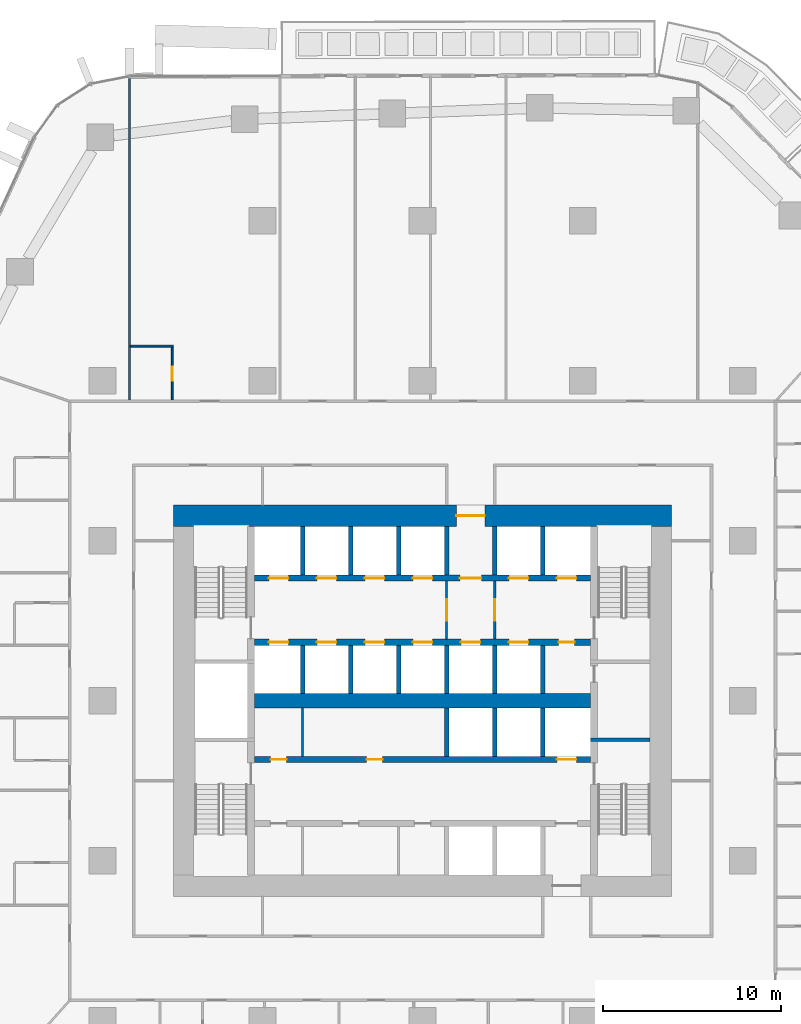
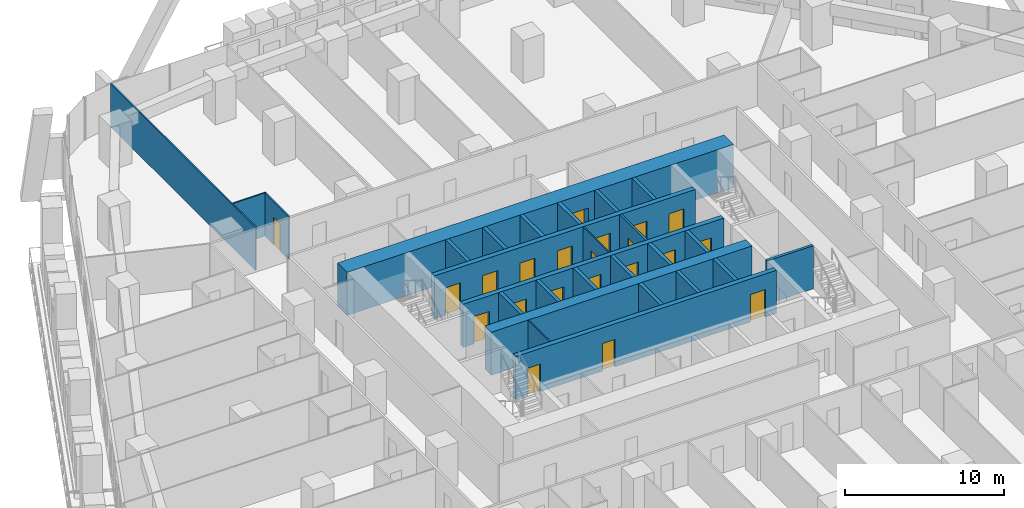
# One storey, part 16 of 27: 27 walls, 21 doors, 21 openings.
"""IFC4 building model written with IfcOpenShell, lengths in metres."""

from ifc_helpers import new_model, si_unit, direction, frame, frame_2d, origin, place, context, subcontext, project, spatial, rectangle, extrude, material, layer, layer_set, type_object, element, fill, save


model = new_model("IFC4")

# Units and contexts
model_context = context("Model", 3, precision=1e-05, world=origin(), true_north=direction((0.0, 1.0)))
body_context = subcontext(model_context, "Body", "Model", "MODEL_VIEW")
ifc_project = project(units=[si_unit("LENGTHUNIT", "METRE"), si_unit("AREAUNIT", "SQUARE_METRE"), si_unit("VOLUMEUNIT", "CUBIC_METRE"), si_unit("PLANEANGLEUNIT", "RADIAN"), si_unit("MASSUNIT", "GRAM", prefix="KILO")], contexts=[model_context])

# Site, building, storey
site_placement = place(None, origin())
site = spatial("IfcSite", under=ifc_project, at=site_placement, CompositionType="ELEMENT")
building_placement = place(site_placement, origin())
building = spatial("IfcBuilding", under=site, at=building_placement, Name="Dongbaek Canopy Tower", CompositionType="ELEMENT")
storey_placement = place(building_placement, frame((0.0, 0.0, 62.5)))
storey = spatial("IfcBuildingStorey", under=building, at=storey_placement, Name="L11", CompositionType="ELEMENT", Elevation=62.5)

# Wall
ifc_material_1 = material(Name="Concrete C60/75", Category="concrete")
ifc_layer_1 = layer(ifc_material_1, 0.800048828125)
ifc_layer_set_1 = layer_set([ifc_layer_1], Name="Core central wall 800 Concrete C60/75")
wall_type_1 = type_object("IfcWallType", Name="Core central wall 800 Concrete C60/75", PredefinedType="SHEAR", material=ifc_layer_set_1)
wall_1_placement = place(storey_placement, frame((-9.449951171875, 0.0, 0.0), z_axis=(0.0, 0.0, 1.0), x_axis=(1.0, 0.0, 0.0)))
element("IfcWall", 1, at=wall_1_placement, inside=storey, type_object=wall_type_1, Name="Core wall", PredefinedType="SHEAR", context=body_context, shape_type="SweptSolid", body=[
    extrude(rectangle(XDim=18.89990234375, YDim=0.800048828125, at=frame_2d((9.449951171875, 0.0))), origin(), (0.0, 0.0, 1.0), 3.300048828125),
])

# Wall, openings, doors
ifc_material_2 = material(Name="Concrete C60/75", Category="concrete")
ifc_layer_2 = layer(ifc_material_2, 0.35009765625)
ifc_layer_set_2 = layer_set([ifc_layer_2], Name="Core lobby wall 350 Concrete C60/75")
wall_type_2 = type_object("IfcWallType", Name="Core lobby wall 350 Concrete C60/75", PredefinedType="SHEAR", material=ifc_layer_set_2)
wall_2_placement = place(storey_placement, frame((-9.449951171875, 6.89990234375, 0.0), z_axis=(0.0, 0.0, 1.0), x_axis=(1.0, 0.0, 0.0)))
wall_2 = element("IfcWall", 2, at=wall_2_placement, inside=storey, type_object=wall_type_2, Name="Core wall", PredefinedType="SHEAR", context=body_context, shape_type="SweptSolid", body=[
    extrude(rectangle(XDim=18.89990234375, YDim=0.35009765625, at=frame_2d((9.449951171875, 0.0))), origin(), (0.0, 0.0, 1.0), 3.300048828125),
])
opening_1_placement = place(wall_2_placement, frame((0.800048828125, 0.0, 0.0)))
opening_1 = element("IfcOpeningElement", 3, at=opening_1_placement, cuts=wall_2, Name="Opening L11-D045", PredefinedType="OPENING", context=body_context, shape_type="SweptSolid", body=[
    extrude(rectangle(XDim=1.10009765625, YDim=2.10009765625, at=frame_2d((0.550048828125, 1.050048828125))), frame((0.0, 0.18505859375, 0.0), z_axis=(0.0, -1.0, 0.0), x_axis=(1.0, 0.0, 0.0)), (0.0, 0.0, 1.0), 0.3701171875),
])
opening_2_placement = place(wall_2_placement, frame((3.5, 0.0, 0.0)))
opening_2 = element("IfcOpeningElement", 4, at=opening_2_placement, cuts=wall_2, Name="Opening L11-D046", PredefinedType="OPENING", context=body_context, shape_type="SweptSolid", body=[
    extrude(rectangle(XDim=1.10009765625, YDim=2.10009765625, at=frame_2d((0.550048828125, 1.050048828125))), frame((0.0, 0.18505859375, 0.0), z_axis=(0.0, -1.0, 0.0), x_axis=(1.0, 0.0, 0.0)), (0.0, 0.0, 1.0), 0.3701171875),
])
opening_3_placement = place(wall_2_placement, frame((6.199951171875, 0.0, 0.0)))
opening_3 = element("IfcOpeningElement", 5, at=opening_3_placement, cuts=wall_2, Name="Opening L11-D047", PredefinedType="OPENING", context=body_context, shape_type="SweptSolid", body=[
    extrude(rectangle(XDim=1.10009765625, YDim=2.10009765625, at=frame_2d((0.550048828125, 1.050048828125))), frame((0.0, 0.18505859375, 0.0), z_axis=(0.0, -1.0, 0.0), x_axis=(1.0, 0.0, 0.0)), (0.0, 0.0, 1.0), 0.3701171875),
])
opening_4_placement = place(wall_2_placement, frame((8.89990234375, 0.0, 0.0)))
opening_4 = element("IfcOpeningElement", 6, at=opening_4_placement, cuts=wall_2, Name="Opening L11-D048", PredefinedType="OPENING", context=body_context, shape_type="SweptSolid", body=[
    extrude(rectangle(XDim=1.10009765625, YDim=2.10009765625, at=frame_2d((0.550048828125, 1.050048828125))), frame((0.0, 0.18505859375, 0.0), z_axis=(0.0, -1.0, 0.0), x_axis=(1.0, 0.0, 0.0)), (0.0, 0.0, 1.0), 0.3701171875),
])
opening_5_placement = place(wall_2_placement, frame((11.550048828125, 0.0, 0.0)))
opening_5 = element("IfcOpeningElement", 7, at=opening_5_placement, cuts=wall_2, Name="Opening L11-D050", PredefinedType="OPENING", context=body_context, shape_type="SweptSolid", body=[
    extrude(rectangle(XDim=1.199951171875, YDim=2.10009765625, at=frame_2d((0.60009765625, 1.050048828125))), frame((0.0, 0.18505859375, 0.0), z_axis=(0.0, -1.0, 0.0), x_axis=(1.0, 0.0, 0.0)), (0.0, 0.0, 1.0), 0.3701171875),
])
opening_6_placement = place(wall_2_placement, frame((14.300048828125, 0.0, 0.0)))
opening_6 = element("IfcOpeningElement", 8, at=opening_6_placement, cuts=wall_2, Name="Opening L11-D051", PredefinedType="OPENING", context=body_context, shape_type="SweptSolid", body=[
    extrude(rectangle(XDim=1.10009765625, YDim=2.10009765625, at=frame_2d((0.550048828125, 1.050048828125))), frame((0.0, 0.18505859375, 0.0), z_axis=(0.0, -1.0, 0.0), x_axis=(1.0, 0.0, 0.0)), (0.0, 0.0, 1.0), 0.3701171875),
])
opening_7_placement = place(wall_2_placement, frame((17.0, 0.0, 0.0)))
opening_7 = element("IfcOpeningElement", 9, at=opening_7_placement, cuts=wall_2, Name="Opening L11-D052", PredefinedType="OPENING", context=body_context, shape_type="SweptSolid", body=[
    extrude(rectangle(XDim=1.10009765625, YDim=2.10009765625, at=frame_2d((0.550048828125, 1.050048828125))), frame((0.0, 0.18505859375, 0.0), z_axis=(0.0, -1.0, 0.0), x_axis=(1.0, 0.0, 0.0)), (0.0, 0.0, 1.0), 0.3701171875),
])
ifc_material_3 = material(Name="Steel", Category="steel")
door_type_1 = type_object("IfcDoorType", Name="Fire lobby door 1200 x 2100", OperationType="SINGLE_SWING_LEFT", PredefinedType="DOOR", material=ifc_material_3)
door_1_placement = place(opening_5_placement, origin())
door_1 = element("IfcDoor", 10, at=door_1_placement, inside=storey, type_object=door_type_1, Name="Door L11-D050", OperationType="SINGLE_SWING_LEFT", OverallHeight=2.10009765625, OverallWidth=1.199951171875, PredefinedType="DOOR", context=body_context, shape_type="SweptSolid", body=[
    extrude(rectangle(XDim=1.199951171875, YDim=2.10009765625, at=frame_2d((0.60009765625, 1.050048828125))), frame((0.0, 0.02490234375, 0.0), z_axis=(0.0, -1.0, 0.0), x_axis=(1.0, 0.0, 0.0)), (0.0, 0.0, 1.0), 0.050048828125),
])
fill(opening_5, door_1)
ifc_material_4 = material(Name="Stainless steel", Category="steel")
door_type_2 = type_object("IfcDoorType", Name="Lift landing door 1100 x 2100", OperationType="DOUBLE_DOOR_SLIDING", PredefinedType="DOOR", material=ifc_material_4)
door_2_placement = place(opening_1_placement, origin())
door_2 = element("IfcDoor", 11, at=door_2_placement, inside=storey, type_object=door_type_2, Name="Landing door LR1", OperationType="DOUBLE_DOOR_SLIDING", OverallHeight=2.10009765625, OverallWidth=1.10009765625, PredefinedType="DOOR", context=body_context, shape_type="SweptSolid", body=[
    extrude(rectangle(XDim=1.10009765625, YDim=2.10009765625, at=frame_2d((0.550048828125, 1.050048828125))), frame((0.0, 0.02490234375, 0.0), z_axis=(0.0, -1.0, 0.0), x_axis=(1.0, 0.0, 0.0)), (0.0, 0.0, 1.0), 0.050048828125),
])
fill(opening_1, door_2)
door_3_placement = place(opening_2_placement, origin())
door_3 = element("IfcDoor", 12, at=door_3_placement, inside=storey, type_object=door_type_2, Name="Landing door LR2", OperationType="DOUBLE_DOOR_SLIDING", OverallHeight=2.10009765625, OverallWidth=1.10009765625, PredefinedType="DOOR", context=body_context, shape_type="SweptSolid", body=[
    extrude(rectangle(XDim=1.10009765625, YDim=2.10009765625, at=frame_2d((0.550048828125, 1.050048828125))), frame((0.0, 0.02490234375, 0.0), z_axis=(0.0, -1.0, 0.0), x_axis=(1.0, 0.0, 0.0)), (0.0, 0.0, 1.0), 0.050048828125),
])
fill(opening_2, door_3)
door_4_placement = place(opening_3_placement, origin())
door_4 = element("IfcDoor", 13, at=door_4_placement, inside=storey, type_object=door_type_2, Name="Landing door LR3", OperationType="DOUBLE_DOOR_SLIDING", OverallHeight=2.10009765625, OverallWidth=1.10009765625, PredefinedType="DOOR", context=body_context, shape_type="SweptSolid", body=[
    extrude(rectangle(XDim=1.10009765625, YDim=2.10009765625, at=frame_2d((0.550048828125, 1.050048828125))), frame((0.0, 0.02490234375, 0.0), z_axis=(0.0, -1.0, 0.0), x_axis=(1.0, 0.0, 0.0)), (0.0, 0.0, 1.0), 0.050048828125),
])
fill(opening_3, door_4)
door_5_placement = place(opening_4_placement, origin())
door_5 = element("IfcDoor", 14, at=door_5_placement, inside=storey, type_object=door_type_2, Name="Landing door LR4", OperationType="DOUBLE_DOOR_SLIDING", OverallHeight=2.10009765625, OverallWidth=1.10009765625, PredefinedType="DOOR", context=body_context, shape_type="SweptSolid", body=[
    extrude(rectangle(XDim=1.10009765625, YDim=2.10009765625, at=frame_2d((0.550048828125, 1.050048828125))), frame((0.0, 0.02490234375, 0.0), z_axis=(0.0, -1.0, 0.0), x_axis=(1.0, 0.0, 0.0)), (0.0, 0.0, 1.0), 0.050048828125),
])
fill(opening_4, door_5)
door_6_placement = place(opening_6_placement, origin())
door_6 = element("IfcDoor", 15, at=door_6_placement, inside=storey, type_object=door_type_2, Name="Landing door FF1", OperationType="DOUBLE_DOOR_SLIDING", OverallHeight=2.10009765625, OverallWidth=1.10009765625, PredefinedType="DOOR", context=body_context, shape_type="SweptSolid", body=[
    extrude(rectangle(XDim=1.10009765625, YDim=2.10009765625, at=frame_2d((0.550048828125, 1.050048828125))), frame((0.0, 0.02490234375, 0.0), z_axis=(0.0, -1.0, 0.0), x_axis=(1.0, 0.0, 0.0)), (0.0, 0.0, 1.0), 0.050048828125),
])
fill(opening_6, door_6)
door_7_placement = place(opening_7_placement, origin())
door_7 = element("IfcDoor", 16, at=door_7_placement, inside=storey, type_object=door_type_2, Name="Landing door FF2", OperationType="DOUBLE_DOOR_SLIDING", OverallHeight=2.10009765625, OverallWidth=1.10009765625, PredefinedType="DOOR", context=body_context, shape_type="SweptSolid", body=[
    extrude(rectangle(XDim=1.10009765625, YDim=2.10009765625, at=frame_2d((0.550048828125, 1.050048828125))), frame((0.0, 0.02490234375, 0.0), z_axis=(0.0, -1.0, 0.0), x_axis=(1.0, 0.0, 0.0)), (0.0, 0.0, 1.0), 0.050048828125),
])
fill(opening_7, door_7)

wall_3_placement = place(storey_placement, frame((9.449951171875, 3.300048828125, 0.0), z_axis=(0.0, 0.0, 1.0), x_axis=(-1.0, 0.0, 0.0)))
wall_3 = element("IfcWall", 17, at=wall_3_placement, inside=storey, type_object=wall_type_2, Name="Core wall", PredefinedType="SHEAR", context=body_context, shape_type="SweptSolid", body=[
    extrude(rectangle(XDim=18.89990234375, YDim=0.35009765625, at=frame_2d((9.449951171875, 0.0))), origin(), (0.0, 0.0, 1.0), 3.300048828125),
])
opening_8_placement = place(wall_3_placement, frame((17.0, 0.0, 0.0)))
opening_8 = element("IfcOpeningElement", 18, at=opening_8_placement, cuts=wall_3, Name="Opening L11-D053", PredefinedType="OPENING", context=body_context, shape_type="SweptSolid", body=[
    extrude(rectangle(XDim=1.10009765625, YDim=2.10009765625, at=frame_2d((0.550048828125, 1.050048828125))), frame((0.0, 0.18505859375, 0.0), z_axis=(0.0, -1.0, 0.0), x_axis=(1.0, 0.0, 0.0)), (0.0, 0.0, 1.0), 0.3701171875),
])
opening_9_placement = place(wall_3_placement, frame((14.300048828125, 0.0, 0.0)))
opening_9 = element("IfcOpeningElement", 19, at=opening_9_placement, cuts=wall_3, Name="Opening L11-D054", PredefinedType="OPENING", context=body_context, shape_type="SweptSolid", body=[
    extrude(rectangle(XDim=1.10009765625, YDim=2.10009765625, at=frame_2d((0.550048828125, 1.050048828125))), frame((0.0, 0.18505859375, 0.0), z_axis=(0.0, -1.0, 0.0), x_axis=(1.0, 0.0, 0.0)), (0.0, 0.0, 1.0), 0.3701171875),
])
opening_10_placement = place(wall_3_placement, frame((11.60009765625, 0.0, 0.0)))
opening_10 = element("IfcOpeningElement", 20, at=opening_10_placement, cuts=wall_3, Name="Opening L11-D055", PredefinedType="OPENING", context=body_context, shape_type="SweptSolid", body=[
    extrude(rectangle(XDim=1.10009765625, YDim=2.10009765625, at=frame_2d((0.550048828125, 1.050048828125))), frame((0.0, 0.18505859375, 0.0), z_axis=(0.0, -1.0, 0.0), x_axis=(1.0, 0.0, 0.0)), (0.0, 0.0, 1.0), 0.3701171875),
])
opening_11_placement = place(wall_3_placement, frame((8.89990234375, 0.0, 0.0)))
opening_11 = element("IfcOpeningElement", 21, at=opening_11_placement, cuts=wall_3, Name="Opening L11-D056", PredefinedType="OPENING", context=body_context, shape_type="SweptSolid", body=[
    extrude(rectangle(XDim=1.10009765625, YDim=2.10009765625, at=frame_2d((0.550048828125, 1.050048828125))), frame((0.0, 0.18505859375, 0.0), z_axis=(0.0, -1.0, 0.0), x_axis=(1.0, 0.0, 0.0)), (0.0, 0.0, 1.0), 0.3701171875),
])
opening_12_placement = place(wall_3_placement, frame((6.199951171875, 0.0, 0.0)))
opening_12 = element("IfcOpeningElement", 22, at=opening_12_placement, cuts=wall_3, Name="Opening L11-D057", PredefinedType="OPENING", context=body_context, shape_type="SweptSolid", body=[
    extrude(rectangle(XDim=1.10009765625, YDim=2.10009765625, at=frame_2d((0.550048828125, 1.050048828125))), frame((0.0, 0.18505859375, 0.0), z_axis=(0.0, -1.0, 0.0), x_axis=(1.0, 0.0, 0.0)), (0.0, 0.0, 1.0), 0.3701171875),
])
opening_13_placement = place(wall_3_placement, frame((3.5, 0.0, 0.0)))
opening_13 = element("IfcOpeningElement", 23, at=opening_13_placement, cuts=wall_3, Name="Opening L11-D058", PredefinedType="OPENING", context=body_context, shape_type="SweptSolid", body=[
    extrude(rectangle(XDim=1.10009765625, YDim=2.10009765625, at=frame_2d((0.550048828125, 1.050048828125))), frame((0.0, 0.18505859375, 0.0), z_axis=(0.0, -1.0, 0.0), x_axis=(1.0, 0.0, 0.0)), (0.0, 0.0, 1.0), 0.3701171875),
])
opening_14_placement = place(wall_3_placement, frame((0.89990234375, 0.0, 0.0)))
opening_14 = element("IfcOpeningElement", 24, at=opening_14_placement, cuts=wall_3, Name="Opening L11-D059", PredefinedType="OPENING", context=body_context, shape_type="SweptSolid", body=[
    extrude(rectangle(XDim=0.89990234375, YDim=2.10009765625, at=frame_2d((0.449951171875, 1.050048828125))), frame((0.0, 0.18505859375, 0.0), z_axis=(0.0, -1.0, 0.0), x_axis=(1.0, 0.0, 0.0)), (0.0, 0.0, 1.0), 0.3701171875),
])
ifc_material_5 = material(Name="Steel", Category="steel")
door_type_3 = type_object("IfcDoorType", Name="Core room door 900 x 2100", OperationType="SINGLE_SWING_LEFT", PredefinedType="DOOR", material=ifc_material_5)
door_8_placement = place(opening_14_placement, origin())
door_8 = element("IfcDoor", 25, at=door_8_placement, inside=storey, type_object=door_type_3, Name="Door L11-D059", OperationType="SINGLE_SWING_LEFT", OverallHeight=2.10009765625, OverallWidth=0.89990234375, PredefinedType="DOOR", context=body_context, shape_type="SweptSolid", body=[
    extrude(rectangle(XDim=0.89990234375, YDim=2.10009765625, at=frame_2d((0.449951171875, 1.050048828125))), frame((0.0, 0.02490234375, 0.0), z_axis=(0.0, -1.0, 0.0), x_axis=(1.0, 0.0, 0.0)), (0.0, 0.0, 1.0), 0.050048828125),
])
fill(opening_14, door_8)
door_9_placement = place(opening_8_placement, origin())
door_9 = element("IfcDoor", 26, at=door_9_placement, inside=storey, type_object=door_type_2, Name="Landing door LR5", OperationType="DOUBLE_DOOR_SLIDING", OverallHeight=2.10009765625, OverallWidth=1.10009765625, PredefinedType="DOOR", context=body_context, shape_type="SweptSolid", body=[
    extrude(rectangle(XDim=1.10009765625, YDim=2.10009765625, at=frame_2d((0.550048828125, 1.050048828125))), frame((0.0, 0.02490234375, 0.0), z_axis=(0.0, -1.0, 0.0), x_axis=(1.0, 0.0, 0.0)), (0.0, 0.0, 1.0), 0.050048828125),
])
fill(opening_8, door_9)
door_10_placement = place(opening_9_placement, origin())
door_10 = element("IfcDoor", 27, at=door_10_placement, inside=storey, type_object=door_type_2, Name="Landing door LR6", OperationType="DOUBLE_DOOR_SLIDING", OverallHeight=2.10009765625, OverallWidth=1.10009765625, PredefinedType="DOOR", context=body_context, shape_type="SweptSolid", body=[
    extrude(rectangle(XDim=1.10009765625, YDim=2.10009765625, at=frame_2d((0.550048828125, 1.050048828125))), frame((0.0, 0.02490234375, 0.0), z_axis=(0.0, -1.0, 0.0), x_axis=(1.0, 0.0, 0.0)), (0.0, 0.0, 1.0), 0.050048828125),
])
fill(opening_9, door_10)
door_11_placement = place(opening_10_placement, origin())
door_11 = element("IfcDoor", 28, at=door_11_placement, inside=storey, type_object=door_type_2, Name="Landing door LR7", OperationType="DOUBLE_DOOR_SLIDING", OverallHeight=2.10009765625, OverallWidth=1.10009765625, PredefinedType="DOOR", context=body_context, shape_type="SweptSolid", body=[
    extrude(rectangle(XDim=1.10009765625, YDim=2.10009765625, at=frame_2d((0.550048828125, 1.050048828125))), frame((0.0, 0.02490234375, 0.0), z_axis=(0.0, -1.0, 0.0), x_axis=(1.0, 0.0, 0.0)), (0.0, 0.0, 1.0), 0.050048828125),
])
fill(opening_10, door_11)
door_12_placement = place(opening_11_placement, origin())
door_12 = element("IfcDoor", 29, at=door_12_placement, inside=storey, type_object=door_type_2, Name="Landing door LR8", OperationType="DOUBLE_DOOR_SLIDING", OverallHeight=2.10009765625, OverallWidth=1.10009765625, PredefinedType="DOOR", context=body_context, shape_type="SweptSolid", body=[
    extrude(rectangle(XDim=1.10009765625, YDim=2.10009765625, at=frame_2d((0.550048828125, 1.050048828125))), frame((0.0, 0.02490234375, 0.0), z_axis=(0.0, -1.0, 0.0), x_axis=(1.0, 0.0, 0.0)), (0.0, 0.0, 1.0), 0.050048828125),
])
fill(opening_11, door_12)
door_13_placement = place(opening_12_placement, origin())
door_13 = element("IfcDoor", 30, at=door_13_placement, inside=storey, type_object=door_type_2, Name="Landing door SV1", OperationType="DOUBLE_DOOR_SLIDING", OverallHeight=2.10009765625, OverallWidth=1.10009765625, PredefinedType="DOOR", context=body_context, shape_type="SweptSolid", body=[
    extrude(rectangle(XDim=1.10009765625, YDim=2.10009765625, at=frame_2d((0.550048828125, 1.050048828125))), frame((0.0, 0.02490234375, 0.0), z_axis=(0.0, -1.0, 0.0), x_axis=(1.0, 0.0, 0.0)), (0.0, 0.0, 1.0), 0.050048828125),
])
fill(opening_12, door_13)
door_14_placement = place(opening_13_placement, origin())
door_14 = element("IfcDoor", 31, at=door_14_placement, inside=storey, type_object=door_type_2, Name="Landing door FF3", OperationType="DOUBLE_DOOR_SLIDING", OverallHeight=2.10009765625, OverallWidth=1.10009765625, PredefinedType="DOOR", context=body_context, shape_type="SweptSolid", body=[
    extrude(rectangle(XDim=1.10009765625, YDim=2.10009765625, at=frame_2d((0.550048828125, 1.050048828125))), frame((0.0, 0.02490234375, 0.0), z_axis=(0.0, -1.0, 0.0), x_axis=(1.0, 0.0, 0.0)), (0.0, 0.0, 1.0), 0.050048828125),
])
fill(opening_13, door_14)

wall_4_placement = place(storey_placement, frame((-9.449951171875, -3.300048828125, 0.0), z_axis=(0.0, 0.0, 1.0), x_axis=(1.0, 0.0, 0.0)))
wall_4 = element("IfcWall", 32, at=wall_4_placement, inside=storey, type_object=wall_type_2, Name="Core wall", PredefinedType="SHEAR", context=body_context, shape_type="SweptSolid", body=[
    extrude(rectangle(XDim=18.89990234375, YDim=0.35009765625, at=frame_2d((9.449951171875, 0.0))), origin(), (0.0, 0.0, 1.0), 3.300048828125),
])
opening_15_placement = place(wall_4_placement, frame((17.0, 0.0, 0.0)))
opening_15 = element("IfcOpeningElement", 33, at=opening_15_placement, cuts=wall_4, Name="Opening L11-D060", PredefinedType="OPENING", context=body_context, shape_type="SweptSolid", body=[
    extrude(rectangle(XDim=1.10009765625, YDim=2.10009765625, at=frame_2d((0.550048828125, 1.050048828125))), frame((0.0, 0.18505859375, 0.0), z_axis=(0.0, -1.0, 0.0), x_axis=(1.0, 0.0, 0.0)), (0.0, 0.0, 1.0), 0.3701171875),
])
opening_16_placement = place(wall_4_placement, frame((0.89990234375, 0.0, 0.0)))
opening_16 = element("IfcOpeningElement", 34, at=opening_16_placement, cuts=wall_4, Name="Opening L11-D063", PredefinedType="OPENING", context=body_context, shape_type="SweptSolid", body=[
    extrude(rectangle(XDim=0.89990234375, YDim=2.10009765625, at=frame_2d((0.449951171875, 1.050048828125))), frame((0.0, 0.18505859375, 0.0), z_axis=(0.0, -1.0, 0.0), x_axis=(1.0, 0.0, 0.0)), (0.0, 0.0, 1.0), 0.3701171875),
])
opening_17_placement = place(wall_4_placement, frame((6.300048828125, 0.0, 0.0)))
opening_17 = element("IfcOpeningElement", 35, at=opening_17_placement, cuts=wall_4, Name="Opening L11-D064", PredefinedType="OPENING", context=body_context, shape_type="SweptSolid", body=[
    extrude(rectangle(XDim=0.89990234375, YDim=2.10009765625, at=frame_2d((0.449951171875, 1.050048828125))), frame((0.0, 0.18505859375, 0.0), z_axis=(0.0, -1.0, 0.0), x_axis=(1.0, 0.0, 0.0)), (0.0, 0.0, 1.0), 0.3701171875),
])
door_15_placement = place(opening_16_placement, origin())
door_15 = element("IfcDoor", 36, at=door_15_placement, inside=storey, type_object=door_type_3, Name="Door L11-D063", OperationType="SINGLE_SWING_RIGHT", OverallHeight=2.10009765625, OverallWidth=0.89990234375, PredefinedType="DOOR", context=body_context, shape_type="SweptSolid", body=[
    extrude(rectangle(XDim=0.89990234375, YDim=2.10009765625, at=frame_2d((0.449951171875, 1.050048828125))), frame((0.0, 0.02490234375, 0.0), z_axis=(0.0, -1.0, 0.0), x_axis=(1.0, 0.0, 0.0)), (0.0, 0.0, 1.0), 0.050048828125),
])
fill(opening_16, door_15)
door_16_placement = place(opening_17_placement, origin())
door_16 = element("IfcDoor", 37, at=door_16_placement, inside=storey, type_object=door_type_3, Name="Door L11-D064", OperationType="SINGLE_SWING_LEFT", OverallHeight=2.10009765625, OverallWidth=0.89990234375, PredefinedType="DOOR", context=body_context, shape_type="SweptSolid", body=[
    extrude(rectangle(XDim=0.89990234375, YDim=2.10009765625, at=frame_2d((0.449951171875, 1.050048828125))), frame((0.0, 0.02490234375, 0.0), z_axis=(0.0, -1.0, 0.0), x_axis=(1.0, 0.0, 0.0)), (0.0, 0.0, 1.0), 0.050048828125),
])
fill(opening_17, door_16)
door_17_placement = place(opening_15_placement, origin())
door_17 = element("IfcDoor", 38, at=door_17_placement, inside=storey, type_object=door_type_2, Name="Landing door SV2", OperationType="DOUBLE_DOOR_SLIDING", OverallHeight=2.10009765625, OverallWidth=1.10009765625, PredefinedType="DOOR", context=body_context, shape_type="SweptSolid", body=[
    extrude(rectangle(XDim=1.10009765625, YDim=2.10009765625, at=frame_2d((0.550048828125, 1.050048828125))), frame((0.0, 0.02490234375, 0.0), z_axis=(0.0, -1.0, 0.0), x_axis=(1.0, 0.0, 0.0)), (0.0, 0.0, 1.0), 0.050048828125),
])
fill(opening_15, door_17)

# Wall, opening, door
ifc_material_6 = material(Name="Concrete C60/75", Category="concrete")
ifc_layer_3 = layer(ifc_material_6, 1.199951171875)
ifc_layer_set_3 = layer_set([ifc_layer_3], Name="Core outer wall 1200 Concrete C60/75")
wall_type_3 = type_object("IfcWallType", Name="Core outer wall 1200 Concrete C60/75", PredefinedType="SHEAR", material=ifc_layer_set_3)
wall_5_placement = place(storey_placement, frame((-14.0, 10.39990234375, 0.0), z_axis=(0.0, 0.0, 1.0), x_axis=(1.0, 0.0, 0.0)))
wall_5 = element("IfcWall", 39, at=wall_5_placement, inside=storey, type_object=wall_type_3, Name="Core wall", PredefinedType="SHEAR", context=body_context, shape_type="SweptSolid", body=[
    extrude(rectangle(XDim=28.0, YDim=1.199951171875, at=frame_2d((14.0, 0.0))), origin(), (0.0, 0.0, 1.0), 3.300048828125),
])
opening_18_placement = place(wall_5_placement, frame((15.89990234375, 0.0, 0.0)))
opening_18 = element("IfcOpeningElement", 40, at=opening_18_placement, cuts=wall_5, Name="Opening L11-D049", PredefinedType="OPENING", context=body_context, shape_type="SweptSolid", body=[
    extrude(rectangle(XDim=1.60009765625, YDim=2.10009765625, at=frame_2d((0.800048828125, 1.050048828125))), frame((0.0, 0.60986328125, 0.0), z_axis=(0.0, -1.0, 0.0), x_axis=(1.0, 0.0, 0.0)), (0.0, 0.0, 1.0), 1.219970703125),
])
ifc_material_7 = material(Name="Steel", Category="steel")
door_type_4 = type_object("IfcDoorType", Name="Core exit door 1600 x 2100", OperationType="DOUBLE_DOOR_SINGLE_SWING", PredefinedType="DOOR", material=ifc_material_7)
door_18_placement = place(opening_18_placement, origin())
door_18 = element("IfcDoor", 41, at=door_18_placement, inside=storey, type_object=door_type_4, Name="Core exit door", OperationType="DOUBLE_DOOR_SINGLE_SWING", OverallHeight=2.10009765625, OverallWidth=1.60009765625, PredefinedType="DOOR", context=body_context, shape_type="SweptSolid", body=[
    extrude(rectangle(XDim=1.60009765625, YDim=2.10009765625, at=frame_2d((0.800048828125, 1.050048828125))), frame((0.0, 0.02490234375, 0.0), z_axis=(0.0, -1.0, 0.0), x_axis=(1.0, 0.0, 0.0)), (0.0, 0.0, 1.0), 0.050048828125),
])
fill(opening_18, door_18)

ifc_material_8 = material(Name="Gypsum board partition, steel stud, 2 x 15 mm fire board", Category="steel")
ifc_layer_4 = layer(ifc_material_8, 0.14990234375)
ifc_layer_set_4 = layer_set([ifc_layer_4], Name="Fire-rated partition 150 gypsum board")
wall_type_4 = type_object("IfcWallType", Name="Fire-rated partition 150 gypsum board", PredefinedType="PARTITIONING", material=ifc_layer_set_4)
wall_6_placement = place(storey_placement, frame((4.050048828125, 6.72509765625, 0.0), z_axis=(0.0, 0.0, 1.0), x_axis=(0.0, -1.0, 0.0)))
wall_6 = element("IfcWall", 42, at=wall_6_placement, inside=storey, type_object=wall_type_4, Name="Fire lobby partition", PredefinedType="PARTITIONING", context=body_context, shape_type="SweptSolid", body=[
    extrude(rectangle(XDim=3.25, YDim=0.14990234375, at=frame_2d((1.625, 0.0))), origin(), (0.0, 0.0, 1.0), 3.300048828125),
])
opening_19_placement = place(wall_6_placement, frame((1.02490234375, 0.0, 0.0)))
opening_19 = element("IfcOpeningElement", 43, at=opening_19_placement, cuts=wall_6, Name="Opening L11-D073", PredefinedType="OPENING", context=body_context, shape_type="SweptSolid", body=[
    extrude(rectangle(XDim=1.199951171875, YDim=2.10009765625, at=frame_2d((0.60009765625, 1.050048828125))), frame((0.0, 0.0849609375, 0.0), z_axis=(0.0, -1.0, 0.0), x_axis=(1.0, 0.0, 0.0)), (0.0, 0.0, 1.0), 0.169921875),
])
door_19_placement = place(opening_19_placement, origin())
door_19 = element("IfcDoor", 44, at=door_19_placement, inside=storey, type_object=door_type_1, Name="Door L11-D073", OperationType="SINGLE_SWING_RIGHT", OverallHeight=2.10009765625, OverallWidth=1.199951171875, PredefinedType="DOOR", context=body_context, shape_type="SweptSolid", body=[
    extrude(rectangle(XDim=1.199951171875, YDim=2.10009765625, at=frame_2d((0.60009765625, 1.050048828125))), frame((0.0, 0.02490234375, 0.0), z_axis=(0.0, -1.0, 0.0), x_axis=(1.0, 0.0, 0.0)), (0.0, 0.0, 1.0), 0.050048828125),
])
fill(opening_19, door_19)

# Walls
ifc_material_9 = material(Name="Concrete C40/50", Category="concrete")
ifc_layer_5 = layer(ifc_material_9, 0.25)
ifc_layer_set_5 = layer_set([ifc_layer_5], Name="Lift shaft wall 250 Concrete C40/50")
wall_type_5 = type_object("IfcWallType", Name="Lift shaft wall 250 Concrete C40/50", PredefinedType="SOLIDWALL", material=ifc_layer_set_5)
for number, where, z_axis, x_axis, name in (
    (45, (6.75, -3.125, 0.0), (0.0, 0.0, 1.0), (0.0, 1.0, 0.0), "Lift shaft wall"),
    (46, (6.75, 0.39990234375, 0.0), (0.0, 0.0, 1.0), (0.0, 1.0, 0.0), "Lift shaft wall"),
    (47, (6.75, 7.074951171875, 0.0), (0.0, 0.0, 1.0), (0.0, 1.0, 0.0), "Lift shaft wall"),
    (48, (4.050048828125, -3.125, 0.0), (0.0, 0.0, 1.0), (0.0, 1.0, 0.0), "Lift shaft wall"),
    (49, (4.050048828125, 0.39990234375, 0.0), (0.0, 0.0, 1.0), (0.0, 1.0, 0.0), "Lift shaft wall"),
    (50, (4.050048828125, 7.074951171875, 0.0), (0.0, 0.0, 1.0), (0.0, 1.0, 0.0), "Lift shaft wall"),
    (51, (1.35009765625, -3.125, 0.0), (0.0, 0.0, 1.0), (0.0, 1.0, 0.0), "Lift shaft wall"),
    (52, (1.35009765625, 0.39990234375, 0.0), (0.0, 0.0, 1.0), (0.0, 1.0, 0.0), "Lift shaft wall"),
    (53, (1.35009765625, 7.074951171875, 0.0), (0.0, 0.0, 1.0), (0.0, 1.0, 0.0), "Lift shaft wall"),
    (54, (-1.35009765625, 0.39990234375, 0.0), (0.0, 0.0, 1.0), (0.0, 1.0, 0.0), "Lift shaft wall"),
    (55, (-1.35009765625, 7.074951171875, 0.0), (0.0, 0.0, 1.0), (0.0, 1.0, 0.0), "Lift shaft wall"),
    (56, (-4.050048828125, 0.39990234375, 0.0), (0.0, 0.0, 1.0), (0.0, 1.0, 0.0), "Lift shaft wall"),
    (57, (-4.050048828125, 7.074951171875, 0.0), (0.0, 0.0, 1.0), (0.0, 1.0, 0.0), "Lift shaft wall"),
    (58, (-6.75, 0.39990234375, 0.0), (0.0, 0.0, 1.0), (0.0, 1.0, 0.0), "Lift shaft wall"),
    (59, (-6.75, 7.074951171875, 0.0), (0.0, 0.0, 1.0), (0.0, 1.0, 0.0), "Lift shaft wall"),
):
    element("IfcWall", number, at=place(storey_placement, frame(where, z_axis=z_axis, x_axis=x_axis)), inside=storey, type_object=wall_type_5, Name=name, PredefinedType="SOLIDWALL", context=body_context, shape_type="SweptSolid", body=[
        extrude(rectangle(XDim=2.72509765625, YDim=0.25, at=frame_2d((1.362548828125, 0.0))), origin(), (0.0, 0.0, 1.0), 3.300048828125),
    ])
ifc_material_10 = material(Name="Gypsum board partition, steel stud, 2 x 12.5 mm board", Category="steel")
ifc_layer_6 = layer(ifc_material_10, 0.10009765625)
ifc_layer_set_6 = layer_set([ifc_layer_6], Name="Partition 100 gypsum board")
wall_type_6 = type_object("IfcWallType", Name="Partition 100 gypsum board", PredefinedType="PARTITIONING", material=ifc_layer_set_6)
wall_7_placement = place(storey_placement, frame((-16.43603515625, 19.949951171875, 0.0), z_axis=(0.0, 0.0, 1.0), x_axis=(1.0, 0.0, 0.0)))
element("IfcWall", 60, at=wall_7_placement, inside=storey, type_object=wall_type_6, Name="Partition", PredefinedType="PARTITIONING", context=body_context, shape_type="SweptSolid", body=[
    extrude(rectangle(XDim=2.400146484375, YDim=0.10009765625, at=frame_2d((1.2001953125, 0.0))), origin(), (0.0, 0.0, 1.0), 3.300048828125),
])

# Wall, opening, door
wall_8_placement = place(storey_placement, frame((-14.0859375, 16.925048828125, 0.0), z_axis=(0.0, 0.0, 1.0), x_axis=(0.0, 1.0, 0.0)))
wall_8 = element("IfcWall", 61, at=wall_8_placement, inside=storey, type_object=wall_type_6, Name="Partition", PredefinedType="PARTITIONING", context=body_context, shape_type="SweptSolid", body=[
    extrude(rectangle(XDim=2.974853515625, YDim=0.10009765625, at=frame_2d((1.4873046875, 0.0))), origin(), (0.0, 0.0, 1.0), 3.300048828125),
])
opening_20_placement = place(wall_8_placement, frame((1.074951171875, 0.0, 0.0)))
opening_20 = element("IfcOpeningElement", 62, at=opening_20_placement, cuts=wall_8, Name="Opening L11-D029", PredefinedType="OPENING", context=body_context, shape_type="SweptSolid", body=[
    extrude(rectangle(XDim=0.800048828125, YDim=2.10009765625, at=frame_2d((0.39990234375, 1.050048828125))), frame((0.0, 0.06005859375, 0.0), z_axis=(0.0, -1.0, 0.0), x_axis=(1.0, 0.0, 0.0)), (0.0, 0.0, 1.0), 0.1201171875),
])
ifc_material_11 = material(Name="Timber veneered door leaf", Category="wood")
door_type_5 = type_object("IfcDoorType", Name="En-suite door 800 x 2100", OperationType="SINGLE_SWING_LEFT", PredefinedType="DOOR", material=ifc_material_11)
door_20_placement = place(opening_20_placement, origin())
door_20 = element("IfcDoor", 63, at=door_20_placement, inside=storey, type_object=door_type_5, Name="Door L11-D029", OperationType="SINGLE_SWING_RIGHT", OverallHeight=2.10009765625, OverallWidth=0.800048828125, PredefinedType="DOOR", context=body_context, shape_type="SweptSolid", body=[
    extrude(rectangle(XDim=0.800048828125, YDim=2.10009765625, at=frame_2d((0.39990234375, 1.050048828125))), frame((0.0, 0.02490234375, 0.0), z_axis=(0.0, -1.0, 0.0), x_axis=(1.0, 0.0, 0.0)), (0.0, 0.0, 1.0), 0.050048828125),
])
fill(opening_20, door_20)

# Wall
wall_9_placement = place(storey_placement, frame((-16.486083984375, 16.925048828125, 0.0), z_axis=(0.0, 0.0, 1.0), x_axis=(0.0, 1.0, 0.0)))
element("IfcWall", 64, at=wall_9_placement, inside=storey, type_object=wall_type_6, Name="Partition", PredefinedType="PARTITIONING", context=body_context, shape_type="SweptSolid", body=[
    extrude(rectangle(XDim=18.168212890625, YDim=0.10009765625, at=frame_2d((9.083984375, 0.0))), origin(), (0.0, 0.0, 1.0), 3.300048828125),
])

# Wall, opening, door
wall_10_placement = place(storey_placement, frame((1.35009765625, 6.72509765625, 0.0), z_axis=(0.0, 0.0, 1.0), x_axis=(0.0, -1.0, 0.0)))
wall_10 = element("IfcWall", 65, at=wall_10_placement, inside=storey, type_object=wall_type_6, Name="Core partition", PredefinedType="PARTITIONING", context=body_context, shape_type="SweptSolid", body=[
    extrude(rectangle(XDim=3.25, YDim=0.10009765625, at=frame_2d((1.625, 0.0))), origin(), (0.0, 0.0, 1.0), 3.300048828125),
])
opening_21_placement = place(wall_10_placement, frame((1.02490234375, 0.0, 0.0)))
opening_21 = element("IfcOpeningElement", 66, at=opening_21_placement, cuts=wall_10, Name="Opening L11-D072", PredefinedType="OPENING", context=body_context, shape_type="SweptSolid", body=[
    extrude(rectangle(XDim=1.199951171875, YDim=2.10009765625, at=frame_2d((0.60009765625, 1.050048828125))), frame((0.0, 0.06005859375, 0.0), z_axis=(0.0, -1.0, 0.0), x_axis=(1.0, 0.0, 0.0)), (0.0, 0.0, 1.0), 0.1201171875),
])
door_21_placement = place(opening_21_placement, origin())
door_21 = element("IfcDoor", 67, at=door_21_placement, inside=storey, type_object=door_type_1, Name="Door L11-D072", OperationType="SINGLE_SWING_LEFT", OverallHeight=2.10009765625, OverallWidth=1.199951171875, PredefinedType="DOOR", context=body_context, shape_type="SweptSolid", body=[
    extrude(rectangle(XDim=1.199951171875, YDim=2.10009765625, at=frame_2d((0.60009765625, 1.050048828125))), frame((0.0, 0.02490234375, 0.0), z_axis=(0.0, -1.0, 0.0), x_axis=(1.0, 0.0, 0.0)), (0.0, 0.0, 1.0), 0.050048828125),
])
fill(opening_21, door_21)

# Walls
wall_11_placement = place(storey_placement, frame((-6.75, -3.125, 0.0), z_axis=(0.0, 0.0, 1.0), x_axis=(0.0, 1.0, 0.0)))
element("IfcWall", 68, at=wall_11_placement, inside=storey, type_object=wall_type_6, Name="Core partition", PredefinedType="PARTITIONING", context=body_context, shape_type="SweptSolid", body=[
    extrude(rectangle(XDim=2.72509765625, YDim=0.10009765625, at=frame_2d((1.362548828125, 0.0))), origin(), (0.0, 0.0, 1.0), 3.300048828125),
])
ifc_material_12 = material(Name="Concrete C60/75", Category="concrete")
ifc_layer_7 = layer(ifc_material_12, 0.199951171875)
ifc_layer_set_7 = layer_set([ifc_layer_7], Name="Riser wall 200 Concrete C60/75")
wall_type_7 = type_object("IfcWallType", Name="Riser wall 200 Concrete C60/75", PredefinedType="SHEAR", material=ifc_layer_set_7)
wall_12_placement = place(storey_placement, frame((9.449951171875, -2.199951171875, 0.0), z_axis=(0.0, 0.0, 1.0), x_axis=(1.0, 0.0, 0.0)))
element("IfcWall", 69, at=wall_12_placement, inside=storey, type_object=wall_type_7, Name="Riser wall", PredefinedType="SHEAR", context=body_context, shape_type="SweptSolid", body=[
    extrude(rectangle(XDim=3.35009765625, YDim=0.199951171875, at=frame_2d((1.675048828125, 0.0))), origin(), (0.0, 0.0, 1.0), 3.300048828125),
])

save(model, "model.ifc")
